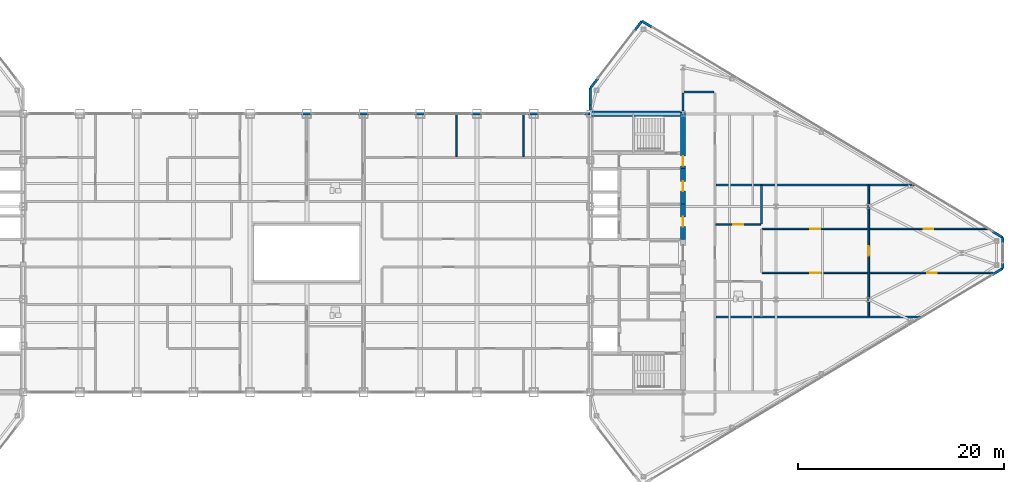
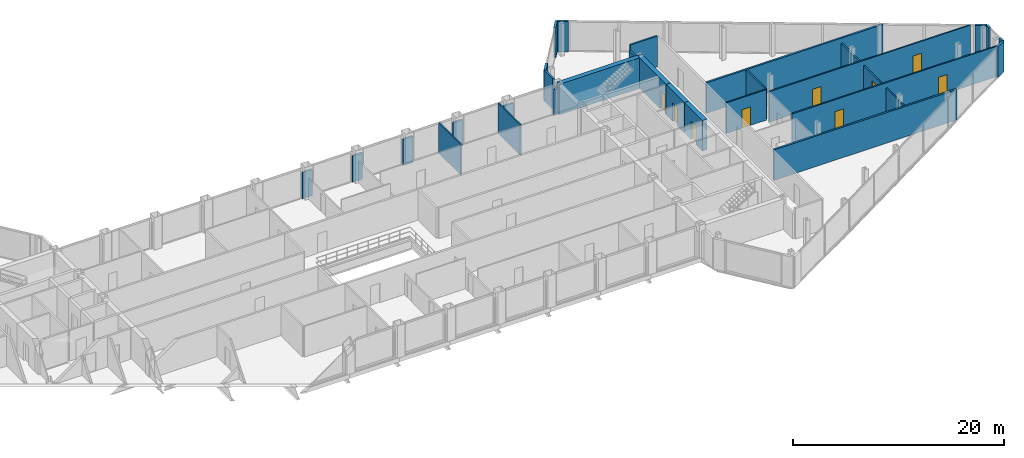
# One storey, part 26 of 29: 30 walls, 9 doors, 9 openings.
"""IFC4 building model written with IfcOpenShell, lengths in metres."""

from ifc_helpers import new_model, si_unit, direction, frame, frame_2d, origin, place, context, subcontext, project, spatial, rectangle, extrude, source, transform, mapped, material, layer, layer_set, type_object, type_shapes, element, fill, save


model = new_model("IFC4")

# Units and contexts
model_context = context("Model", 3, precision=1e-05, world=origin(), true_north=direction((0.0, 1.0)))
body_context = subcontext(model_context, "Body", "Model", "MODEL_VIEW")
ifc_project = project(units=[si_unit("LENGTHUNIT", "METRE"), si_unit("AREAUNIT", "SQUARE_METRE"), si_unit("VOLUMEUNIT", "CUBIC_METRE"), si_unit("PLANEANGLEUNIT", "RADIAN"), si_unit("MASSUNIT", "GRAM", prefix="KILO")], contexts=[model_context])

# Site, building, storey
site_placement = place(None, origin())
site = spatial("IfcSite", under=ifc_project, at=site_placement, CompositionType="ELEMENT")
building_placement = place(site_placement, origin())
building = spatial("IfcBuilding", under=site, at=building_placement, Name="Seokmaru Belvedere", CompositionType="ELEMENT")
storey_placement = place(building_placement, frame((0.0, 0.0, 243.14990234375)))
storey = spatial("IfcBuildingStorey", under=building, at=storey_placement, Name="L64", CompositionType="ELEMENT", Elevation=243.14990234375)

# Wall, openings, doors
ifc_material_1 = material(Name="Fire-Rated Gypsum Shaftwall")
ifc_layer_1 = layer(ifc_material_1, 0.14990234375)
ifc_layer_set_1 = layer_set([ifc_layer_1], Name="Fire-Rated Gypsum Shaftwall")
wall_type_1 = type_object("IfcWallType", Name="Apartment Fire-Acoustic Room Partition 150", PredefinedType="PARTITIONING", material=ifc_layer_set_1)
wall_1_placement = place(storey_placement, frame((44.14990234375, -1.929931640625, 0.0), z_axis=(0.0, 0.0, 1.0), x_axis=(1.0, 0.0, 0.0)))
wall_1 = element("IfcWall", 1, at=wall_1_placement, inside=storey, type_object=wall_type_1, Name="L64 Interior Partition 013", PredefinedType="PARTITIONING", context=body_context, shape_type="SweptSolid", body=[
    extrude(rectangle(XDim=22.390380859375, YDim=0.14990234375, at=frame_2d((11.1953125, 0.0))), origin(), (0.0, 0.0, 1.0), 3.530029296875),
])
opening_1_placement = place(wall_1_placement, frame((4.675048828125, 0.0, 0.0)))
opening_1 = element("IfcOpeningElement", 2, at=opening_1_placement, cuts=wall_1, Name="Opening D05", PredefinedType="OPENING", context=body_context, shape_type="SweptSolid", body=[
    extrude(rectangle(XDim=0.949951171875, YDim=2.14990234375, at=frame_2d((0.47509765625, 1.074951171875))), frame((0.0, 0.0849609375, 0.0), z_axis=(0.0, -1.0, 0.0), x_axis=(1.0, 0.0, 0.0)), (0.0, 0.0, 1.0), 0.169921875),
])
opening_2_placement = place(wall_1_placement, frame((16.013916015625, 0.0, 0.0)))
opening_2 = element("IfcOpeningElement", 3, at=opening_2_placement, cuts=wall_1, Name="Opening D05", PredefinedType="OPENING", context=body_context, shape_type="SweptSolid", body=[
    extrude(rectangle(XDim=0.949951171875, YDim=2.14990234375, at=frame_2d((0.47509765625, 1.074951171875))), frame((0.0, 0.0849609375, 0.0), z_axis=(0.0, -1.0, 0.0), x_axis=(1.0, 0.0, 0.0)), (0.0, 0.0, 1.0), 0.169921875),
])
ifc_material_2 = material(Name="Engineered White Oak Timber", Category="wood")
door_type_1 = type_object("IfcDoorType", Name="Apartment Interior Fire-Rated Oak Door 950x2150", OperationType="NOTDEFINED", PredefinedType="DOOR", material=ifc_material_2)
shared_shape_1 = source(origin(), body_context, "Body", "SweptSolid", [
    extrude(rectangle(XDim=0.949951171875, YDim=2.14990234375, at=frame_2d((0.47509765625, 1.074951171875))), frame((0.0, 0.02490234375, 0.0), z_axis=(0.0, -1.0, 0.0), x_axis=(1.0, 0.0, 0.0)), (0.0, 0.0, 1.0), 0.050048828125),
])
type_shapes(door_type_1, [shared_shape_1])
door_1_placement = place(opening_1_placement, origin())
door_1 = element("IfcDoor", 4, at=door_1_placement, inside=storey, type_object=door_type_1, Name="L64 Interior Door 018", OperationType="SINGLE_SWING_RIGHT", OverallHeight=2.14990234375, OverallWidth=0.949951171875, PredefinedType="DOOR", context=body_context, shape_type="MappedRepresentation", body=[
    mapped(shared_shape_1, transform((0.0, 0.0, 0.0), scale=1.0)),
])
fill(opening_1, door_1)
door_2_placement = place(opening_2_placement, origin())
door_2 = element("IfcDoor", 5, at=door_2_placement, inside=storey, type_object=door_type_1, Name="L64 Interior Door 020", OperationType="SINGLE_SWING_LEFT", OverallHeight=2.14990234375, OverallWidth=0.949951171875, PredefinedType="DOOR", context=body_context, shape_type="MappedRepresentation", body=[
    mapped(shared_shape_1, transform((0.0, 0.0, 0.0), scale=1.0)),
])
fill(opening_2, door_2)

wall_2_placement = place(storey_placement, frame((44.14990234375, 2.330078125, 0.0), z_axis=(0.0, 0.0, 1.0), x_axis=(1.0, 0.0, 0.0)))
wall_2 = element("IfcWall", 6, at=wall_2_placement, inside=storey, type_object=wall_type_1, Name="L64 Interior Partition 020", PredefinedType="PARTITIONING", context=body_context, shape_type="SweptSolid", body=[
    extrude(rectangle(XDim=21.99609375, YDim=0.14990234375, at=frame_2d((10.998046875, 0.0))), origin(), (0.0, 0.0, 1.0), 3.530029296875),
])
opening_3_placement = place(wall_2_placement, frame((4.675048828125, 0.0, 0.0)))
opening_3 = element("IfcOpeningElement", 7, at=opening_3_placement, cuts=wall_2, Name="Opening D05", PredefinedType="OPENING", context=body_context, shape_type="SweptSolid", body=[
    extrude(rectangle(XDim=0.949951171875, YDim=2.14990234375, at=frame_2d((0.47509765625, 1.074951171875))), frame((0.0, 0.0849609375, 0.0), z_axis=(0.0, -1.0, 0.0), x_axis=(1.0, 0.0, 0.0)), (0.0, 0.0, 1.0), 0.169921875),
])
opening_4_placement = place(wall_2_placement, frame((15.6806640625, 0.0, 0.0)))
opening_4 = element("IfcOpeningElement", 8, at=opening_4_placement, cuts=wall_2, Name="Opening D05", PredefinedType="OPENING", context=body_context, shape_type="SweptSolid", body=[
    extrude(rectangle(XDim=0.949951171875, YDim=2.14990234375, at=frame_2d((0.47509765625, 1.074951171875))), frame((0.0, 0.0849609375, 0.0), z_axis=(0.0, -1.0, 0.0), x_axis=(1.0, 0.0, 0.0)), (0.0, 0.0, 1.0), 0.169921875),
])
door_3_placement = place(opening_3_placement, origin())
door_3 = element("IfcDoor", 9, at=door_3_placement, inside=storey, type_object=door_type_1, Name="L64 Interior Door 019", OperationType="SINGLE_SWING_LEFT", OverallHeight=2.14990234375, OverallWidth=0.949951171875, PredefinedType="DOOR", context=body_context, shape_type="MappedRepresentation", body=[
    mapped(shared_shape_1, transform((0.0, 0.0, 0.0), scale=1.0)),
])
fill(opening_3, door_3)
door_4_placement = place(opening_4_placement, origin())
door_4 = element("IfcDoor", 10, at=door_4_placement, inside=storey, type_object=door_type_1, Name="L64 Interior Door 021", OperationType="SINGLE_SWING_LEFT", OverallHeight=2.14990234375, OverallWidth=0.949951171875, PredefinedType="DOOR", context=body_context, shape_type="MappedRepresentation", body=[
    mapped(shared_shape_1, transform((0.0, 0.0, 0.0), scale=1.0)),
])
fill(opening_4, door_4)

# Wall, opening, door
wall_3_placement = place(storey_placement, frame((39.64990234375, 2.760009765625, 0.0), z_axis=(0.0, 0.0, 1.0), x_axis=(1.0, 0.0, 0.0)))
wall_3 = element("IfcWall", 11, at=wall_3_placement, inside=storey, type_object=wall_type_1, Name="L64 Interior Partition 021", PredefinedType="PARTITIONING", context=body_context, shape_type="SweptSolid", body=[
    extrude(rectangle(XDim=4.400146484375, YDim=0.14990234375, at=frame_2d((2.2001953125, 0.0))), origin(), (0.0, 0.0, 1.0), 3.530029296875),
])
opening_5_placement = place(wall_3_placement, frame((1.72509765625, 0.0, 0.0)))
opening_5 = element("IfcOpeningElement", 12, at=opening_5_placement, cuts=wall_3, Name="Opening D05", PredefinedType="OPENING", context=body_context, shape_type="SweptSolid", body=[
    extrude(rectangle(XDim=0.949951171875, YDim=2.14990234375, at=frame_2d((0.47509765625, 1.074951171875))), frame((0.0, 0.0849609375, 0.0), z_axis=(0.0, -1.0, 0.0), x_axis=(1.0, 0.0, 0.0)), (0.0, 0.0, 1.0), 0.169921875),
])
door_5_placement = place(opening_5_placement, origin())
door_5 = element("IfcDoor", 13, at=door_5_placement, inside=storey, type_object=door_type_1, Name="L64 Interior Door 015", OperationType="SINGLE_SWING_RIGHT", OverallHeight=2.14990234375, OverallWidth=0.949951171875, PredefinedType="DOOR", context=body_context, shape_type="MappedRepresentation", body=[
    mapped(shared_shape_1, transform((0.0, 0.0, 0.0), scale=1.0)),
])
fill(opening_5, door_5)

# Walls
for number, where, z_axis, x_axis, name in (
    (14, (14.5, 9.3349609375, 0.0), (0.0, 0.0, 1.0), (0.0, 1.0, 0.0), "L64 Interior Partition 053"),
    (15, (21.0, 9.3349609375, 0.0), (0.0, 0.0, 1.0), (0.0, 1.0, 0.0), "L64 Interior Partition 055"),
):
    element("IfcWall", number, at=place(storey_placement, frame(where, z_axis=z_axis, x_axis=x_axis)), inside=storey, type_object=wall_type_1, Name=name, PredefinedType="PARTITIONING", context=body_context, shape_type="SweptSolid", body=[
        extrude(rectangle(XDim=4.1650390625, YDim=0.14990234375, at=frame_2d((2.08251953125, 0.0))), origin(), (0.0, 0.0, 1.0), 3.530029296875),
    ])
wall_4_placement = place(storey_placement, frame((44.10009765625, 2.81201171875, 0.0), z_axis=(0.0, 0.0, 1.0), x_axis=(0.0, 1.0, 0.0)))
element("IfcWall", 16, at=wall_4_placement, inside=storey, type_object=wall_type_1, Name="L64 Interior Partition 061", PredefinedType="PARTITIONING", context=body_context, shape_type="SweptSolid", body=[
    extrude(rectangle(XDim=3.738037109375, YDim=0.14990234375, at=frame_2d((1.869140625, 0.0))), origin(), (0.0, 0.0, 1.0), 3.530029296875),
])

# Wall, opening, door
wall_5_placement = place(storey_placement, frame((54.5, -6.14990234375, 0.0), z_axis=(0.0, 0.0, 1.0), x_axis=(0.0, 1.0, 0.0)))
wall_5 = element("IfcWall", 17, at=wall_5_placement, inside=storey, type_object=wall_type_1, Name="L64 Interior Partition 062", PredefinedType="PARTITIONING", context=body_context, shape_type="SweptSolid", body=[
    extrude(rectangle(XDim=12.699951171875, YDim=0.14990234375, at=frame_2d((6.35009765625, 0.0))), origin(), (0.0, 0.0, 1.0), 2.93017578125),
])
opening_6_placement = place(wall_5_placement, frame((5.875, 0.0, 0.0)))
opening_6 = element("IfcOpeningElement", 18, at=opening_6_placement, cuts=wall_5, Name="Opening D05", PredefinedType="OPENING", context=body_context, shape_type="SweptSolid", body=[
    extrude(rectangle(XDim=0.949951171875, YDim=2.14990234375, at=frame_2d((0.47509765625, 1.074951171875))), frame((0.0, 0.0849609375, 0.0), z_axis=(0.0, -1.0, 0.0), x_axis=(1.0, 0.0, 0.0)), (0.0, 0.0, 1.0), 0.169921875),
])
door_6_placement = place(opening_6_placement, origin())
door_6 = element("IfcDoor", 19, at=door_6_placement, inside=storey, type_object=door_type_1, Name="L64 Interior Door 017", OperationType="SINGLE_SWING_RIGHT", OverallHeight=2.14990234375, OverallWidth=0.949951171875, PredefinedType="DOOR", context=body_context, shape_type="MappedRepresentation", body=[
    mapped(shared_shape_1, transform((0.0, 0.0, 0.0), scale=1.0)),
])
fill(opening_6, door_6)

# Walls
ifc_material_3 = material(Name="Anodised Bronze Aluminium", Category="aluminium")
ifc_layer_2 = layer(ifc_material_3, 0.2099609375)
ifc_layer_set_2 = layer_set([ifc_layer_2], Name="Anodised Bronze Aluminium")
wall_type_2 = type_object("IfcWallType", Name="Bridge Column Spandrel Closure Pier 210", PredefinedType="SOLIDWALL", material=ifc_layer_set_2)
for number, where, z_axis, x_axis, name in (
    (20, (-0.550048828125, 13.5, 0.0), (0.0, 0.0, 1.0), (1.0, 0.0, 0.0), "L64 Bridge North Column Closure Pier 06"),
    (21, (4.949951171875, 13.5, 0.0), (0.0, 0.0, 1.0), (1.0, 0.0, 0.0), "L64 Bridge North Column Closure Pier 07"),
    (22, (10.449951171875, 13.5, 0.0), (0.0, 0.0, 1.0), (1.0, 0.0, 0.0), "L64 Bridge North Column Closure Pier 08"),
    (23, (15.949951171875, 13.5, 0.0), (0.0, 0.0, 1.0), (1.0, 0.0, 0.0), "L64 Bridge North Column Closure Pier 09"),
    (24, (21.449951171875, 13.5, 0.0), (0.0, 0.0, 1.0), (1.0, 0.0, 0.0), "L64 Bridge North Column Closure Pier 10"),
):
    element("IfcWall", number, at=place(storey_placement, frame(where, z_axis=z_axis, x_axis=x_axis)), inside=storey, type_object=wall_type_2, Name=name, PredefinedType="SOLIDWALL", context=body_context, shape_type="SweptSolid", body=[
        extrude(rectangle(XDim=1.10009765625, YDim=0.2099609375, at=frame_2d((0.550048828125, 0.0))), origin(), (0.0, 0.0, 1.0), 3.030029296875),
    ])
wall_6_placement = place(storey_placement, frame((26.949951171875, 13.5, 0.0), z_axis=(0.0, 0.0, 1.0), x_axis=(1.0, 0.0, 0.0)))
element("IfcWall", 25, at=wall_6_placement, inside=storey, type_object=wall_type_2, Name="L64 Bridge North Column Closure Pier 11", PredefinedType="SOLIDWALL", context=body_context, shape_type="SweptSolid", body=[
    extrude(rectangle(XDim=0.5400390625, YDim=0.2099609375, at=frame_2d((0.27001953125, 0.0))), origin(), (0.0, 0.0, 1.0), 3.030029296875),
])
ifc_layer_3 = layer(ifc_material_1, 0.199951171875)
ifc_layer_set_3 = layer_set([ifc_layer_3], Name="Fire-Rated Gypsum Shaftwall")
wall_type_3 = type_object("IfcWallType", Name="Inter-Tenancy Fire Compartment Partition 200", PredefinedType="PARTITIONING", material=ifc_layer_set_3)
wall_7_placement = place(storey_placement, frame((39.679931640625, -6.199951171875, 0.0), z_axis=(0.0, 0.0, 1.0), x_axis=(1.0, 0.0, 0.0)))
element("IfcWall", 26, at=wall_7_placement, inside=storey, type_object=wall_type_3, Name="L64 Interior Partition 008", PredefinedType="PARTITIONING", context=body_context, shape_type="SweptSolid", body=[
    extrude(rectangle(XDim=19.99609375, YDim=0.199951171875, at=frame_2d((9.998046875, 0.0))), origin(), (0.0, 0.0, 1.0), 3.530029296875),
])
wall_8_placement = place(storey_placement, frame((39.679931640625, 6.60009765625, 0.0), z_axis=(0.0, 0.0, 1.0), x_axis=(1.0, 0.0, 0.0)))
element("IfcWall", 27, at=wall_8_placement, inside=storey, type_object=wall_type_3, Name="L64 Interior Partition 024", PredefinedType="PARTITIONING", context=body_context, shape_type="SweptSolid", body=[
    extrude(rectangle(XDim=19.330078125, YDim=0.199951171875, at=frame_2d((9.6650390625, 0.0))), origin(), (0.0, 0.0, 1.0), 3.530029296875),
])
wall_9_placement = place(storey_placement, frame((36.5849609375, 15.60009765625, 0.0), z_axis=(0.0, 0.0, 1.0), x_axis=(1.0, 0.0, 0.0)))
element("IfcWall", 28, at=wall_9_placement, inside=storey, type_object=wall_type_3, Name="L64 Interior Partition 030", PredefinedType="PARTITIONING", context=body_context, shape_type="SweptSolid", body=[
    extrude(rectangle(XDim=2.929931640625, YDim=0.199951171875, at=frame_2d((1.46484375, 0.0))), origin(), (0.0, 0.0, 1.0), 3.530029296875),
])
wall_10_placement = place(storey_placement, frame((36.5, 13.7548828125, 0.0), z_axis=(0.0, 0.0, 1.0), x_axis=(0.0, 1.0, 0.0)))
element("IfcWall", 29, at=wall_10_placement, inside=storey, type_object=wall_type_3, Name="L64 Interior Partition 057", PredefinedType="PARTITIONING", context=body_context, shape_type="SweptSolid", body=[
    extrude(rectangle(XDim=1.760009765625, YDim=0.199951171875, at=frame_2d((0.8798828125, 0.0))), origin(), (0.0, 0.0, 1.0), 2.93017578125),
])
ifc_layer_4 = layer(ifc_material_3, 0.239990234375)
ifc_layer_set_4 = layer_set([ifc_layer_4], Name="Anodised Bronze Aluminium")
wall_type_4 = type_object("IfcWallType", Name="Tower Corner Spandrel Closure Wall 240", PredefinedType="SOLIDWALL", material=ifc_layer_set_4)
wall_11_placement = place(storey_placement, frame((66.513916015625, -2.091796875, 0.0), z_axis=(0.0, 0.0, 1.0), x_axis=(0.85743623509, 0.514590228002, 0.0)))
element("IfcWall", 30, at=wall_11_placement, inside=storey, type_object=wall_type_4, Name="L64 E Corner Closure Pier 1B", PredefinedType="SOLIDWALL", context=body_context, shape_type="SweptSolid", body=[
    extrude(rectangle(XDim=1.14013671875, YDim=0.239990234375, at=frame_2d((0.570068359375, 0.0))), origin(), (0.0, 0.0, 1.0), 3.530029296875),
])
for number, where, z_axis, x_axis, name in (
    (31, (67.5, -1.489990234375, 0.0), (0.0, 0.0, 1.0), (0.0, 1.0, 0.0), "L64 E Apex Closure Pier 2A"),
    (32, (67.5, 0.949951171875, 0.0), (0.0, 0.0, 1.0), (0.0, 1.0, 0.0), "L64 E Apex Closure Pier 2B"),
):
    element("IfcWall", number, at=place(storey_placement, frame(where, z_axis=z_axis, x_axis=x_axis)), inside=storey, type_object=wall_type_4, Name=name, PredefinedType="SOLIDWALL", context=body_context, shape_type="SweptSolid", body=[
        extrude(rectangle(XDim=0.5400390625, YDim=0.239990234375, at=frame_2d((0.27001953125, 0.0))), origin(), (0.0, 0.0, 1.0), 3.530029296875),
    ])
for number, where, z_axis, x_axis, name in (
    (33, (67.491455078125, 1.505126953125, 0.0), (0.0, 0.0, 1.0), (-0.85743623509, 0.514590228002, 0.0), "L64 E Corner Closure Pier 3A"),
    (34, (33.486083984375, 21.908203125, 0.0), (0.0, 0.0, 1.0), (-0.85743623509, 0.514590228002, 0.0), "L64 E Corner Closure Pier 3B"),
    (35, (32.493896484375, 22.4921875, 0.0), (0.0, 0.0, 1.0), (-0.609617623633, -0.792695624408, 0.0), "L64 E Corner Closure Pier 4A"),
    (36, (28.201171875, 16.91162109375, 0.0), (0.0, 0.0, 1.0), (-0.609617623633, -0.792695624408, 0.0), "L64 E Corner Closure Pier 4B"),
):
    element("IfcWall", number, at=place(storey_placement, frame(where, z_axis=z_axis, x_axis=x_axis)), inside=storey, type_object=wall_type_4, Name=name, PredefinedType="SOLIDWALL", context=body_context, shape_type="SweptSolid", body=[
        extrude(rectangle(XDim=1.14013671875, YDim=0.239990234375, at=frame_2d((0.570068359375, 0.0))), origin(), (0.0, 0.0, 1.0), 3.530029296875),
    ])
wall_12_placement = place(storey_placement, frame((27.5, 13.7548828125, 0.0), z_axis=(0.0, 0.0, 1.0), x_axis=(0.0, 1.0, 0.0)))
element("IfcWall", 37, at=wall_12_placement, inside=storey, type_object=wall_type_4, Name="L64 E Shoulder Closure Wall 2", PredefinedType="SOLIDWALL", context=body_context, shape_type="SweptSolid", body=[
    extrude(rectangle(XDim=0.619873046875, YDim=0.239990234375, at=frame_2d((0.31005859375, 0.0))), origin(), (0.0, 0.0, 1.0), 3.030029296875),
])
wall_13_placement = place(storey_placement, frame((27.5, 14.374755859375, 0.0), z_axis=(0.0, 0.0, 1.0), x_axis=(0.0, 1.0, 0.0)))
element("IfcWall", 38, at=wall_13_placement, inside=storey, type_object=wall_type_4, Name="L64 E Shoulder Closure Wall 2 Part 2", PredefinedType="SOLIDWALL", context=body_context, shape_type="SweptSolid", body=[
    extrude(rectangle(XDim=1.605224609375, YDim=0.239990234375, at=frame_2d((0.802734375, 0.0))), origin(), (0.0, 0.0, 1.0), 3.530029296875),
])
ifc_material_4 = material(Name="Concrete C50 (50 MPa)", Category="concrete")
ifc_layer_5 = layer(ifc_material_4, 0.5)
ifc_layer_set_5 = layer_set([ifc_layer_5], Name="Concrete C50 (50 MPa)")
wall_type_5 = type_object("IfcWallType", Name="Upper Tower Reinforced Concrete Core Wall 500", PredefinedType="SHEAR", material=ifc_layer_set_5)
wall_14_placement = place(storey_placement, frame((27.5, 13.5, 0.0), z_axis=(0.0, 0.0, 1.0), x_axis=(1.0, 0.0, 0.0)))
element("IfcWall", 39, at=wall_14_placement, inside=storey, type_object=wall_type_5, Name="L64 East North Core Wall", PredefinedType="SHEAR", context=body_context, shape_type="SweptSolid", body=[
    extrude(rectangle(XDim=9.0, YDim=0.5, at=frame_2d((4.5, 0.0))), origin(), (0.0, 0.0, 1.0), 3.530029296875),
])

# Wall, opening, door
wall_15_placement = place(storey_placement, frame((36.5, 8.199951171875, 0.0), z_axis=(0.0, 0.0, 1.0), x_axis=(0.0, 1.0, 0.0)))
wall_15 = element("IfcWall", 40, at=wall_15_placement, inside=storey, type_object=wall_type_5, Name="L64 East West Core Wall VST", PredefinedType="SHEAR", context=body_context, shape_type="SweptSolid", body=[
    extrude(rectangle(XDim=5.449951171875, YDim=0.5, at=frame_2d((2.72509765625, 0.0))), origin(), (0.0, 0.0, 1.0), 3.530029296875),
])
opening_7_placement = place(wall_15_placement, frame((0.2451171875, 0.0, 0.0)))
opening_7 = element("IfcOpeningElement", 41, at=opening_7_placement, cuts=wall_15, Name="Opening D04", PredefinedType="OPENING", context=body_context, shape_type="SweptSolid", body=[
    extrude(rectangle(XDim=0.949951171875, YDim=2.14990234375, at=frame_2d((0.47509765625, 1.074951171875))), frame((0.0, 0.260009765625, 0.0), z_axis=(0.0, -1.0, 0.0), x_axis=(1.0, 0.0, 0.0)), (0.0, 0.0, 1.0), 0.52001953125),
])
ifc_material_5 = material(Name="Fire-Rated Steel Leaf", Category="steel")
door_type_2 = type_object("IfcDoorType", Name="Core Service Room Fire Door 950x2150", OperationType="NOTDEFINED", PredefinedType="DOOR", material=ifc_material_5)
shared_shape_2 = source(origin(), body_context, "Body", "SweptSolid", [
    extrude(rectangle(XDim=0.949951171875, YDim=2.14990234375, at=frame_2d((0.47509765625, 1.074951171875))), frame((0.0, 0.02490234375, 0.0), z_axis=(0.0, -1.0, 0.0), x_axis=(1.0, 0.0, 0.0)), (0.0, 0.0, 1.0), 0.050048828125),
])
type_shapes(door_type_2, [shared_shape_2])
door_7_placement = place(opening_7_placement, origin())
door_7 = element("IfcDoor", 42, at=door_7_placement, inside=storey, type_object=door_type_2, Name="L64 East Smokeproof Vestibule Door", OperationType="SINGLE_SWING_LEFT", OverallHeight=2.14990234375, OverallWidth=0.949951171875, PredefinedType="DOOR", context=body_context, shape_type="MappedRepresentation", body=[
    mapped(shared_shape_2, transform((0.0, 0.0, 0.0), scale=1.0)),
])
fill(opening_7, door_7)

wall_16_placement = place(storey_placement, frame((36.5, 1.300048828125, 0.0), z_axis=(0.0, 0.0, 1.0), x_axis=(0.0, 1.0, 0.0)))
wall_16 = element("IfcWall", 43, at=wall_16_placement, inside=storey, type_object=wall_type_5, Name="L64 East West Core Wall CS3", PredefinedType="SHEAR", context=body_context, shape_type="SweptSolid", body=[
    extrude(rectangle(XDim=3.449951171875, YDim=0.5, at=frame_2d((1.72509765625, 0.0))), origin(), (0.0, 0.0, 1.0), 3.530029296875),
])
opening_8_placement = place(wall_16_placement, frame((1.25, 0.0, 0.0)))
opening_8 = element("IfcOpeningElement", 44, at=opening_8_placement, cuts=wall_16, Name="Opening D04", PredefinedType="OPENING", context=body_context, shape_type="SweptSolid", body=[
    extrude(rectangle(XDim=0.949951171875, YDim=2.14990234375, at=frame_2d((0.47509765625, 1.074951171875))), frame((0.0, 0.260009765625, 0.0), z_axis=(0.0, -1.0, 0.0), x_axis=(1.0, 0.0, 0.0)), (0.0, 0.0, 1.0), 0.52001953125),
])
door_8_placement = place(opening_8_placement, origin())
door_8 = element("IfcDoor", 45, at=door_8_placement, inside=storey, type_object=door_type_2, Name="L64 East Core Service Room Door 3", OperationType="SINGLE_SWING_RIGHT", OverallHeight=2.14990234375, OverallWidth=0.949951171875, PredefinedType="DOOR", context=body_context, shape_type="MappedRepresentation", body=[
    mapped(shared_shape_2, transform((0.0, 0.0, 0.0), scale=1.0)),
])
fill(opening_8, door_8)

wall_17_placement = place(storey_placement, frame((36.5, 4.75, 0.0), z_axis=(0.0, 0.0, 1.0), x_axis=(0.0, 1.0, 0.0)))
wall_17 = element("IfcWall", 46, at=wall_17_placement, inside=storey, type_object=wall_type_5, Name="L64 East West Core Wall CS4", PredefinedType="SHEAR", context=body_context, shape_type="SweptSolid", body=[
    extrude(rectangle(XDim=3.449951171875, YDim=0.5, at=frame_2d((1.72509765625, 0.0))), origin(), (0.0, 0.0, 1.0), 3.530029296875),
])
opening_9_placement = place(wall_17_placement, frame((1.25, 0.0, 0.0)))
opening_9 = element("IfcOpeningElement", 47, at=opening_9_placement, cuts=wall_17, Name="Opening D04", PredefinedType="OPENING", context=body_context, shape_type="SweptSolid", body=[
    extrude(rectangle(XDim=0.949951171875, YDim=2.14990234375, at=frame_2d((0.47509765625, 1.074951171875))), frame((0.0, 0.260009765625, 0.0), z_axis=(0.0, -1.0, 0.0), x_axis=(1.0, 0.0, 0.0)), (0.0, 0.0, 1.0), 0.52001953125),
])
door_9_placement = place(opening_9_placement, origin())
door_9 = element("IfcDoor", 48, at=door_9_placement, inside=storey, type_object=door_type_2, Name="L64 East Core Service Room Door 4", OperationType="SINGLE_SWING_LEFT", OverallHeight=2.14990234375, OverallWidth=0.949951171875, PredefinedType="DOOR", context=body_context, shape_type="MappedRepresentation", body=[
    mapped(shared_shape_2, transform((0.0, 0.0, 0.0), scale=1.0)),
])
fill(opening_9, door_9)

save(model, "model.ifc")
